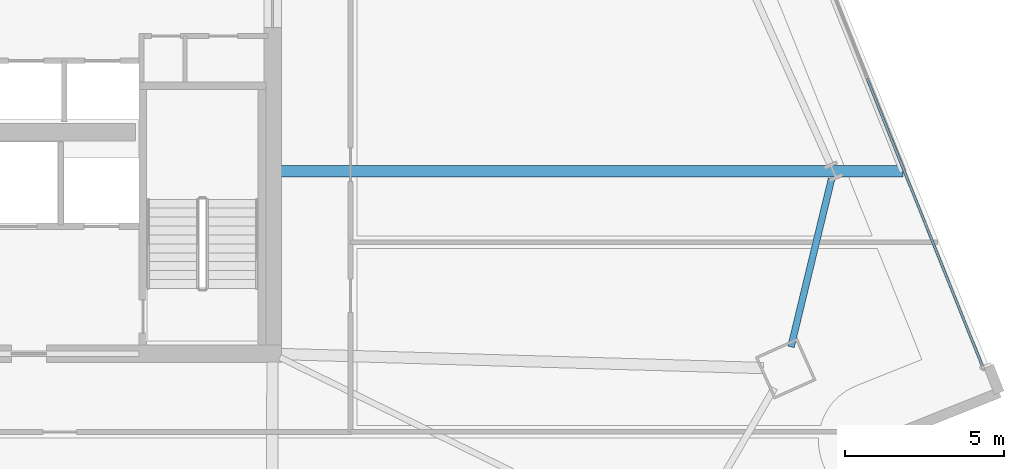
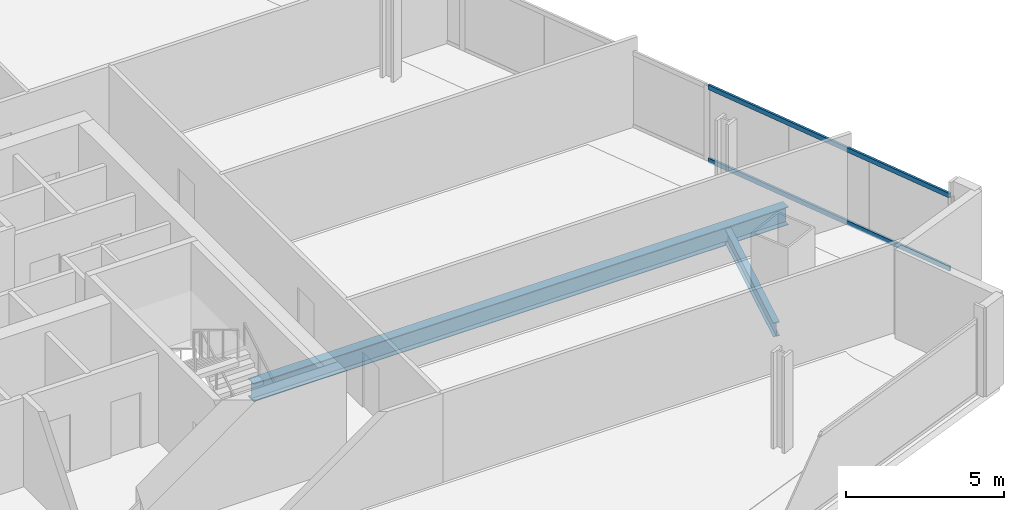
# One storey, part 12 of 33: 2 beams, 2 members, 1 element without a shape of its own.
"""IFC4 building model written with IfcOpenShell, lengths in metres."""

from ifc_helpers import new_model, si_unit, direction, frame, origin, origin_2d, place, context, subcontext, project, spatial, hollow_rectangle, i_section, extrude, material, material_profile, profile_set, type_object, element, aggregate, save


model = new_model("IFC4")

# Units and contexts
model_context = context("Model", 3, precision=1e-05, world=origin(), true_north=direction((0.0, 1.0)))
body_context = subcontext(model_context, "Body", "Model", "MODEL_VIEW")
ifc_project = project(units=[si_unit("LENGTHUNIT", "METRE"), si_unit("AREAUNIT", "SQUARE_METRE"), si_unit("VOLUMEUNIT", "CUBIC_METRE"), si_unit("PLANEANGLEUNIT", "RADIAN"), si_unit("MASSUNIT", "GRAM", prefix="KILO")], contexts=[model_context])

# Site, building, storey
site_placement = place(None, origin())
site = spatial("IfcSite", under=ifc_project, at=site_placement, CompositionType="ELEMENT")
building_placement = place(site_placement, origin())
building = spatial("IfcBuilding", under=site, at=building_placement, Name="Haldenkirk Collegiate Tower", CompositionType="ELEMENT")
storey_placement = place(building_placement, frame((0.0, 0.0, 101.699951171875)))
storey = spatial("IfcBuildingStorey", under=building, at=storey_placement, Name="L24", CompositionType="ELEMENT", Elevation=101.699951171875)

# Beams
ifc_material_1 = material(Name="Steel ASTM A992 Grade 50", Category="steel")
ifc_material_profile_1 = material_profile(ifc_material_1, i_section(OverallWidth=0.35498046875, OverallDepth=0.696044921875, WebThickness=0.015380859375, FlangeThickness=0.02490234375, at=origin_2d()), Name="W27X146")
ifc_profile_set_1 = profile_set([ifc_material_profile_1], Name="Steel ASTM A992 Grade 50")
beam_type_1 = type_object("IfcBeamType", Name="BM-GIRDER-W27X146", PredefinedType="BEAM", material=ifc_profile_set_1)
beam_1_placement = place(storey_placement, frame((64.794189453125, 23.727294921875, -0.64794921875), z_axis=(-1.0, 0.0, 0.0), x_axis=(0.0, -1.0, 0.0)))
element("IfcBeam", 1, at=beam_1_placement, inside=storey, type_object=beam_type_1, Name="L24 primary floor girder 08", PredefinedType="BEAM", context=body_context, shape_type="SweptSolid", body=[
    extrude(i_section(OverallWidth=0.35498046875, OverallDepth=0.696044921875, WebThickness=0.015380859375, FlangeThickness=0.02490234375, at=origin_2d()), origin(), (0.0, 0.0, 1.0), 19.539306640625),
])
ifc_material_profile_2 = material_profile(ifc_material_1, i_section(OverallWidth=0.2119140625, OverallDepth=0.5439453125, WebThickness=0.01318359375, FlangeThickness=0.021240234375, at=origin_2d()), Name="W21X83")
ifc_profile_set_2 = profile_set([ifc_material_profile_2], Name="Steel ASTM A992 Grade 50")
beam_type_2 = type_object("IfcBeamType", Name="BM-SPANDREL-W21X83", PredefinedType="SPANDREL", material=ifc_profile_set_2)
beam_2_placement = place(storey_placement, frame((61.277587890625, 18.21826171875, -0.572021484375), z_axis=(0.234815122269, 0.972040049768, 0.0), x_axis=(-0.972040049768, 0.234815122269, 0.0)))
element("IfcBeam", 2, at=beam_2_placement, inside=storey, type_object=beam_type_2, Name="L24 perimeter spandrel beam 05", PredefinedType="SPANDREL", context=body_context, shape_type="SweptSolid", body=[
    extrude(i_section(OverallWidth=0.2119140625, OverallDepth=0.5439453125, WebThickness=0.01318359375, FlangeThickness=0.021240234375, at=origin_2d()), origin(), (0.0, 0.0, 1.0), 5.422119140625),
])

# Curtain wall, members
ifc_material_2 = material(Name="Anodised architectural bronze aluminium", Category="aluminium")
curtain_wall_type = type_object("IfcCurtainWallType", Name="CW-SYS1-CONVEX-LOW", PredefinedType="USERDEFINED", material=ifc_material_2)
curtain_wall_placement = place(storey_placement, origin())
curtain_wall = element("IfcCurtainWall", 3, at=curtain_wall_placement, inside=storey, type_object=curtain_wall_type, Name="L24 Lower tower convex bronze-framed unitised curtain wall", ObjectType="UNITISED CURTAIN WALL", PredefinedType="USERDEFINED")
ifc_material_profile_3 = material_profile(ifc_material_2, hollow_rectangle(XDim=0.080078125, YDim=0.179931640625, WallThickness=0.0048828125, at=origin_2d()), Name="CW-TRN-1A")
ifc_profile_set_3 = profile_set([ifc_material_profile_3], Name="Anodised architectural bronze aluminium")
member_type = type_object("IfcMemberType", Name="CW-TRN-1A", PredefinedType="USERDEFINED", material=ifc_profile_set_3)
member_1_placement = place(storey_placement, frame((63.664306640625, 26.653076171875, 0.0400390625), z_axis=(0.372182221437, -0.92815968133, 0.0), x_axis=(0.92815968133, 0.372182221437, 0.0)))
member_1 = element("IfcMember", 4, at=member_1_placement, type_object=member_type, Name="CW-1A transom 4.1", ObjectType="TRANSOM", PredefinedType="USERDEFINED", context=body_context, shape_type="SweptSolid", body=[
    extrude(hollow_rectangle(XDim=0.080078125, YDim=0.179931640625, WallThickness=0.0048828125, at=origin_2d()), origin(), (0.0, 0.0, 1.0), 9.72998046875),
])
member_2_placement = place(storey_placement, frame((63.664306640625, 26.653076171875, 2.861083984375), z_axis=(0.372182221437, -0.92815968133, 0.0), x_axis=(0.92815968133, 0.372182221437, 0.0)))
member_2 = element("IfcMember", 5, at=member_2_placement, type_object=member_type, Name="CW-1A transom 4.2", ObjectType="TRANSOM", PredefinedType="USERDEFINED", context=body_context, shape_type="SweptSolid", body=[
    extrude(hollow_rectangle(XDim=0.080078125, YDim=0.179931640625, WallThickness=0.0048828125, at=origin_2d()), origin(), (0.0, 0.0, 1.0), 9.72998046875),
])
aggregate(curtain_wall, [member_1, member_2])

save(model, "model.ifc")
